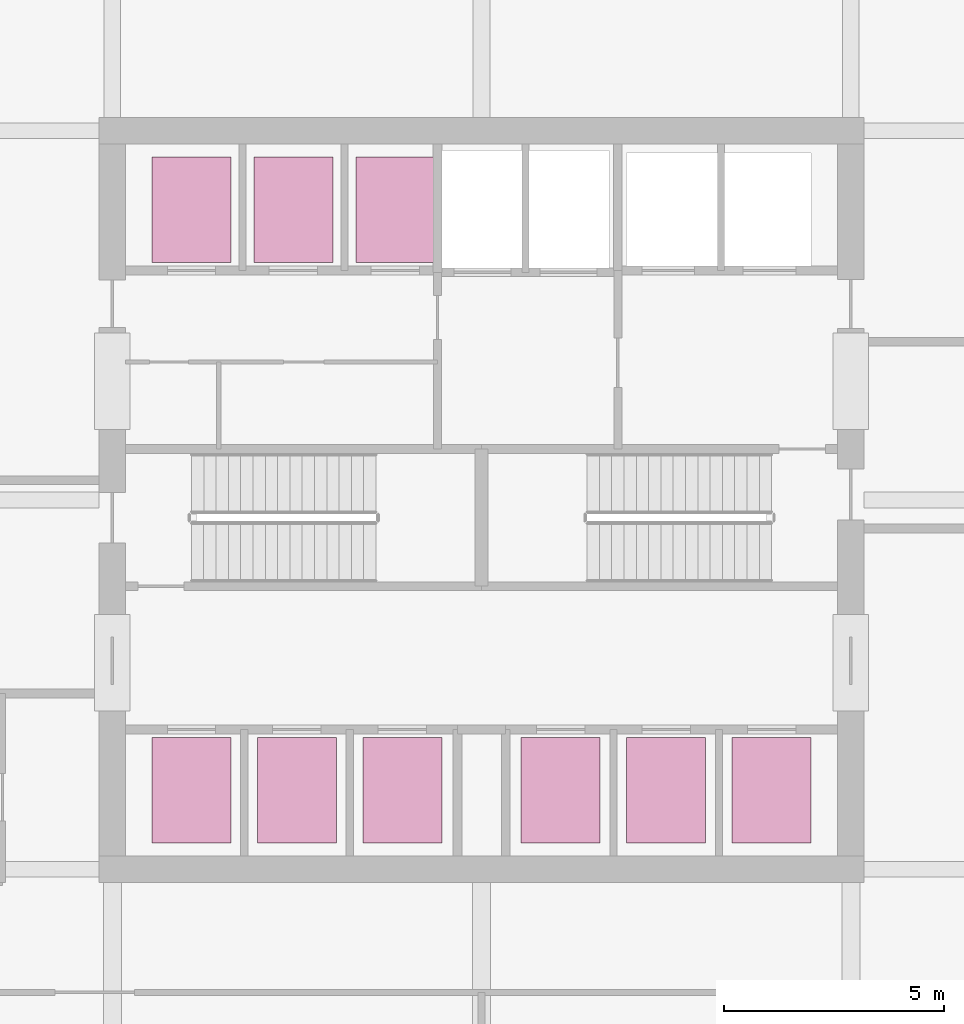
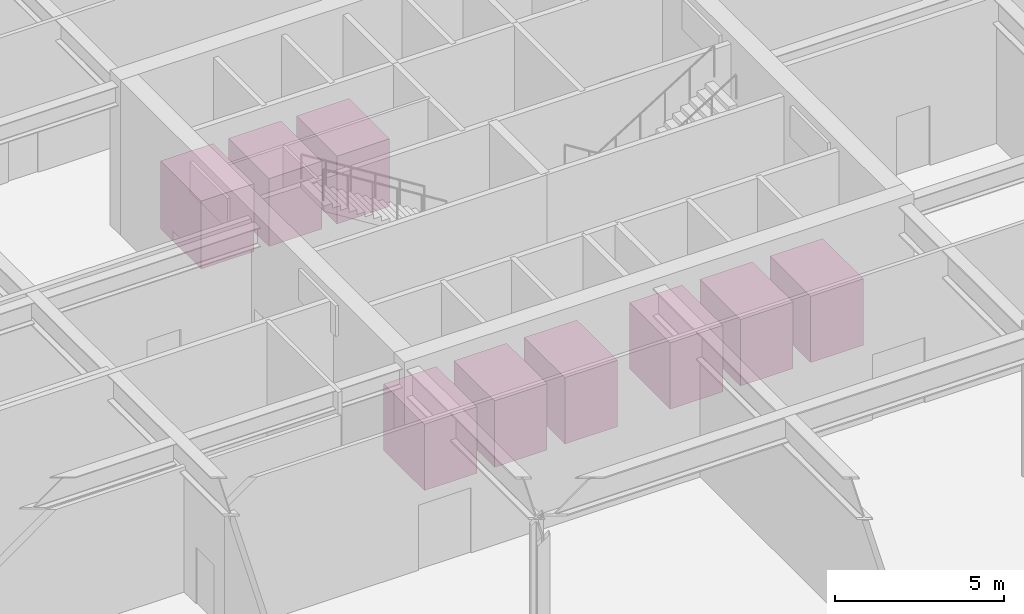
# One storey, part 21 of 21: 9 transport elements.
"""IFC4 building model written with IfcOpenShell, lengths in metres."""

import ifcopenshell
import ifcopenshell.guid

model = None  # the IFC model being written
_history = None  # IfcOwnerHistory: only IFC2X3 demands one
_inside = {}  # id of a spatial element -> (the spatial element, [elements in it])
_under = {}  # id of a project, library or spatial element -> (it, [spatial elements below it])
_declared = {}  # id of a project -> (the project, [libraries it declares])
_typed = {}  # id of a type object -> (the type object, [elements of that type])
_made_of = {}  # id of a material, layer set ... -> (it, [elements and type objects made of it])


def new_model(schema):
    """Start an empty IFC model of exactly this schema.

    Asked for "IFC4X3", IfcOpenShell would pick the latest addendum, in which some entities
    have other attributes; the version numbers below select the first issue.
    IFC2X3 requires an IfcOwnerHistory on every rooted entity: one is made here for all.
    """
    global model, _history
    if schema == "IFC4X3":
        model = ifcopenshell.file(schema_version=(4, 3, 0, 0))
    else:
        model = ifcopenshell.file(schema=schema)
    _inside.clear()
    _under.clear()
    _declared.clear()
    _typed.clear()
    _made_of.clear()
    _history = None
    if model.schema == "IFC2X3":
        org = make("IfcOrganization", Name="unknown")
        user = make(
            "IfcPersonAndOrganization",
            ThePerson=make("IfcPerson", FamilyName="unknown"),
            TheOrganization=org,
        )
        app = make(
            "IfcApplication",
            ApplicationDeveloper=org,
            Version="unknown",
            ApplicationFullName="unknown",
            ApplicationIdentifier="unknown",
        )
        _history = make(
            "IfcOwnerHistory",
            OwningUser=user,
            OwningApplication=app,
            ChangeAction="ADDED",
            CreationDate=0,
        )
    return model


def make(cls, **values):
    """One entity of the class cls with the attributes given. An attribute that is None is left unset."""
    return model.create_entity(
        cls, **{name: value for name, value in values.items() if value is not None}
    )


def rooted(cls, **values):
    """An entity with a GlobalId (a new one), such as an element, a storey or a relation."""
    return make(cls, GlobalId=ifcopenshell.guid.new(), OwnerHistory=_history, **values)


def si_unit(unit_type, name, prefix=None):
    """IfcSIUnit, for example si_unit("LENGTHUNIT", "METRE", prefix="MILLI")."""
    return make("IfcSIUnit", UnitType=unit_type, Prefix=prefix, Name=name)


def assignment(units):
    """IfcUnitAssignment: the units of a project."""
    return None if units is None else make("IfcUnitAssignment", Units=units)


def point(xyz):
    """IfcCartesianPoint."""
    return None if xyz is None else make("IfcCartesianPoint", Coordinates=xyz)


def direction(xyz):
    """IfcDirection."""
    return None if xyz is None else make("IfcDirection", DirectionRatios=xyz)


def frame(location, z_axis=None, x_axis=None):
    """IfcAxis2Placement3D, a coordinate frame: its origin and axes. An axis left out is left unset."""
    return make(
        "IfcAxis2Placement3D",
        Location=point(location),
        Axis=direction(z_axis),
        RefDirection=direction(x_axis),
    )


def frame_2d(location, x_axis=None):
    """IfcAxis2Placement2D, a coordinate frame in the plane: its origin and x axis."""
    return make(
        "IfcAxis2Placement2D", Location=point(location), RefDirection=direction(x_axis)
    )


def origin():
    """The frame at (0, 0, 0) with its axes left unset."""
    return frame((0.0, 0.0, 0.0))


def origin_2d():
    """The frame at (0, 0) in the plane with its x axis left unset."""
    return frame_2d((0.0, 0.0))


def place(relative_to, where):
    """IfcLocalPlacement: puts the frame where relative to a parent placement (None: the world)."""
    return make(
        "IfcLocalPlacement", PlacementRelTo=relative_to, RelativePlacement=where
    )


def context(
    kind, dimensions, precision=None, world=None, true_north=None, identifier=None
):
    """IfcGeometricRepresentationContext, for example the 3D "Model" context."""
    return make(
        "IfcGeometricRepresentationContext",
        ContextIdentifier=identifier,
        ContextType=kind,
        CoordinateSpaceDimension=dimensions,
        Precision=precision,
        WorldCoordinateSystem=world,
        TrueNorth=true_north,
    )


def subcontext(parent, identifier, kind, view, scale=None):
    """IfcGeometricRepresentationSubContext, for example "Body" below "Model"."""
    return make(
        "IfcGeometricRepresentationSubContext",
        ContextIdentifier=identifier,
        ContextType=kind,
        ParentContext=parent,
        TargetScale=scale,
        TargetView=view,
    )


def project(units=None, contexts=None):
    """IfcProject with its units and contexts."""
    return rooted(
        "IfcProject",
        Name="project",
        RepresentationContexts=contexts,
        UnitsInContext=assignment(units),
    )


def spatial(cls, under=None, at=None, **own):
    """A site, building, storey or space (cls), placed at a placement, below another one or the project."""
    s = rooted(cls, ObjectPlacement=at, **own)
    if under is not None:
        _under.setdefault(under.id(), (under, []))[1].append(s)
    return s


def profile(cls, at=None, kind="AREA", **sizes):
    """A parametric profile (cls). Its sizes go by their IFC names, for example OverallWidth=200.0."""
    return make(cls, ProfileType=kind, Position=at, **sizes)


def rectangle(**sizes):
    """IfcRectangleProfileDef."""
    return profile("IfcRectangleProfileDef", **sizes)


def extrude(swept, where, along, depth):
    """IfcExtrudedAreaSolid: the profile swept, set in the frame where, extruded along a direction by depth."""
    return make(
        "IfcExtrudedAreaSolid",
        SweptArea=swept,
        Position=where,
        ExtrudedDirection=direction(along),
        Depth=depth,
    )


def shape(context_of_items, identifier, shape_type, items):
    """IfcShapeRepresentation: the items that make up one representation, for example the "Body"."""
    return make(
        "IfcShapeRepresentation",
        ContextOfItems=context_of_items,
        RepresentationIdentifier=identifier,
        RepresentationType=shape_type,
        Items=items,
    )


def material(Name=None, Category=None):
    """IfcMaterial."""
    return make("IfcMaterial", Name=Name, Category=Category)


def made_of(thing, what):
    """Note that an element or type object is made of a material, layer set ...; save() writes the relation."""
    if what is not None:
        _made_of.setdefault(what.id(), (what, []))[1].append(thing)
    return thing


def type_object(cls, material=None, **own):
    """A type object (cls), such as IfcWallType, which elements share."""
    return made_of(rooted(cls, **own), material)


def element(
    cls,
    number,
    at=None,
    inside=None,
    cuts=None,
    type_object=None,
    material=None,
    context=None,
    identifier="Body",
    shape_type=None,
    held_by="IfcProductDefinitionShape",
    body=None,
    shapes=None,
    **own,
):
    """One element of the class cls, such as IfcWall. Its Tag is "e" and its number.

    at: its placement. inside: the storey or other place that contains it. cuts: it is an
    opening in that element (IfcRelVoidsElement). A single representation is given by context,
    identifier, shape_type and body (its items); several are given by shapes. held_by: the class
    of the entity that holds the representations. save() writes the other relations.
    """
    e = rooted(cls, Tag="e%d" % number, ObjectPlacement=at, **own)
    if body is not None:
        shapes = [shape(context, identifier, shape_type, body)]
    if shapes is not None:
        e.Representation = make(held_by, Representations=shapes)
    if inside is not None:
        _inside.setdefault(inside.id(), (inside, []))[1].append(e)
    if cuts is not None:
        rooted(
            "IfcRelVoidsElement", RelatingBuildingElement=cuts, RelatedOpeningElement=e
        )
    if type_object is not None:
        _typed.setdefault(type_object.id(), (type_object, []))[1].append(e)
    return made_of(e, material)


def aggregate(whole, parts):
    """IfcRelAggregates: a whole, such as a stair, and the parts it consists of."""
    return rooted("IfcRelAggregates", RelatingObject=whole, RelatedObjects=parts)


def save(model, path):
    """Write the relations noted so far, then the file.

    IfcRelAggregates (storeys below a building ...), IfcRelContainedInSpatialStructure (elements
    in a storey), IfcRelDefinesByType, IfcRelAssociatesMaterial and IfcRelDeclares: one each for
    every whole, place, type object, material and project.
    """
    for whole, parts in _under.values():
        aggregate(whole, parts)
    for where, things in _inside.values():
        rooted(
            "IfcRelContainedInSpatialStructure",
            RelatedElements=things,
            RelatingStructure=where,
        )
    for kind, things in _typed.values():
        rooted("IfcRelDefinesByType", RelatedObjects=things, RelatingType=kind)
    for what, things in _made_of.values():
        rooted("IfcRelAssociatesMaterial", RelatedObjects=things, RelatingMaterial=what)
    for by, libraries in _declared.values():
        rooted("IfcRelDeclares", RelatingContext=by, RelatedDefinitions=libraries)
    model.write(path)


model = new_model("IFC4")

# Units and contexts
model_context = context("Model", 3, precision=1e-05, world=origin(), true_north=direction((0.0, 1.0)))
body_context = subcontext(model_context, "Body", "Model", "MODEL_VIEW")
ifc_project = project(units=[si_unit("LENGTHUNIT", "METRE"), si_unit("AREAUNIT", "SQUARE_METRE"), si_unit("VOLUMEUNIT", "CUBIC_METRE"), si_unit("PLANEANGLEUNIT", "RADIAN"), si_unit("MASSUNIT", "GRAM", prefix="KILO")], contexts=[model_context])

# Site, building, storey
site_placement = place(None, origin())
site = spatial("IfcSite", under=ifc_project, at=site_placement, CompositionType="ELEMENT")
building_placement = place(site_placement, origin())
building = spatial("IfcBuilding", under=site, at=building_placement, Name="Drelvath Grand Hotel", CompositionType="ELEMENT")
storey_placement = place(building_placement, origin())
storey = spatial("IfcBuildingStorey", under=building, at=storey_placement, Name="L00", CompositionType="ELEMENT", Elevation=0.0)

# Transport elements
ifc_material = material(Name="Stainless Steel S355", Category="steel")
transport_element_type_1 = type_object("IfcTransportElementType", Name="Passenger Elevator 1600kg", PredefinedType="ELEVATOR", material=ifc_material)
for number, where, z_axis, x_axis, name in (
    (1, (-6.60009765625, 20.39990234375, 0.0), (0.0, 0.0, 1.0), (1.0, 0.0, 0.0), "Elevator PE-1"),
    (2, (-4.199951171875, 20.39990234375, 0.0), (0.0, 0.0, 1.0), (1.0, 0.0, 0.0), "Elevator PE-2"),
    (3, (-1.800048828125, 20.39990234375, 0.0), (0.0, 0.0, 1.0), (1.0, 0.0, 0.0), "Elevator PE-3"),
    (4, (1.800048828125, 20.39990234375, 0.0), (0.0, 0.0, 1.0), (1.0, 0.0, 0.0), "Elevator PE-4"),
    (5, (4.199951171875, 20.39990234375, 0.0), (0.0, 0.0, 1.0), (1.0, 0.0, 0.0), "Elevator PE-5"),
    (6, (6.60009765625, 20.39990234375, 0.0), (0.0, 0.0, 1.0), (1.0, 0.0, 0.0), "Elevator PE-6"),
):
    element("IfcTransportElement", number, at=place(storey_placement, frame(where, z_axis=z_axis, x_axis=x_axis)), inside=storey, type_object=transport_element_type_1, Name=name, PredefinedType="ELEVATOR", context=body_context, shape_type="SweptSolid", body=[
        extrude(rectangle(XDim=1.800048828125, YDim=2.39990234375, at=origin_2d()), origin(), (0.0, 0.0, 1.0), 2.39990234375),
    ])
transport_element_type_2 = type_object("IfcTransportElementType", Name="Passenger High-Speed Elevator 1800kg", PredefinedType="ELEVATOR", material=ifc_material)
for number, where, z_axis, x_axis, name in (
    (7, (-6.60009765625, 33.60009765625, 0.0), (0.0, 0.0, 1.0), (1.0, 0.0, 0.0), "Elevator PE-7"),
    (8, (-4.280029296875, 33.60009765625, 0.0), (0.0, 0.0, 1.0), (1.0, 0.0, 0.0), "Elevator PE-8"),
    (9, (-1.9599609375, 33.60009765625, 0.0), (0.0, 0.0, 1.0), (1.0, 0.0, 0.0), "Elevator PE-9"),
):
    element("IfcTransportElement", number, at=place(storey_placement, frame(where, z_axis=z_axis, x_axis=x_axis)), inside=storey, type_object=transport_element_type_2, Name=name, PredefinedType="ELEVATOR", context=body_context, shape_type="SweptSolid", body=[
        extrude(rectangle(XDim=1.800048828125, YDim=2.39990234375, at=origin_2d()), origin(), (0.0, 0.0, 1.0), 2.449951171875),
    ])

save(model, "model.ifc")
